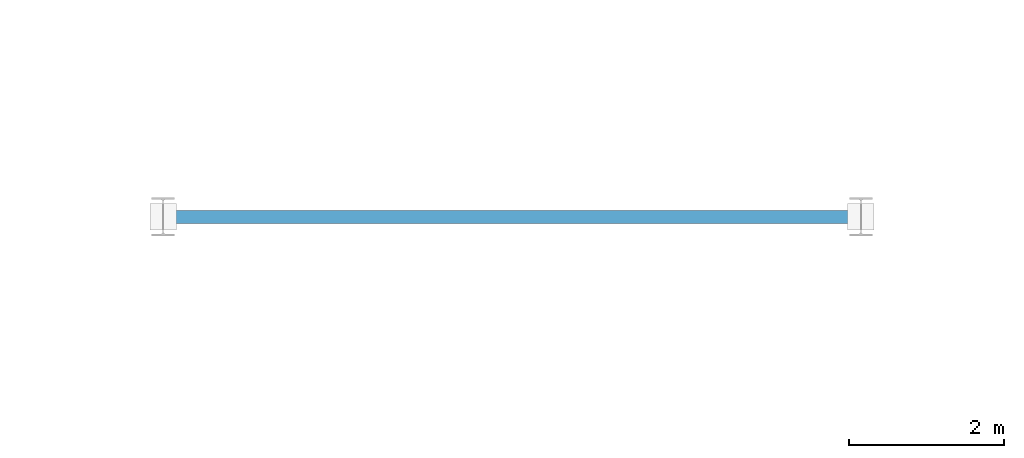
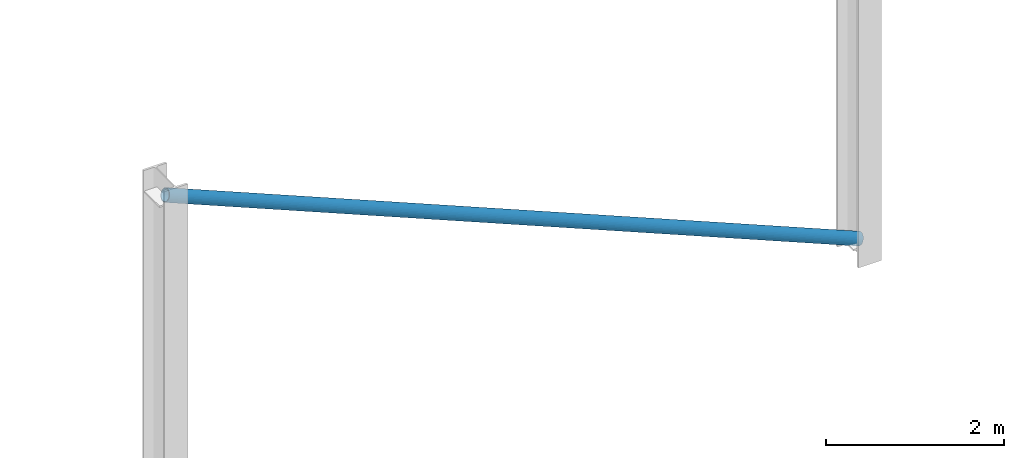
# One storey, part 54 of 140: 1 member.
"""IFC4 building model written with IfcOpenShell, lengths in metres."""

from ifc_helpers import new_model, si_unit, direction, frame, origin, origin_2d, place, context, subcontext, project, spatial, hollow_circle, extrude, material, material_profile, profile_set, type_object, element, save


model = new_model("IFC4")

# Units and contexts
model_context = context("Model", 3, precision=1e-05, world=origin(), true_north=direction((0.0, 1.0)))
body_context = subcontext(model_context, "Body", "Model", "MODEL_VIEW")
ifc_project = project(units=[si_unit("LENGTHUNIT", "METRE"), si_unit("AREAUNIT", "SQUARE_METRE"), si_unit("VOLUMEUNIT", "CUBIC_METRE"), si_unit("PLANEANGLEUNIT", "RADIAN"), si_unit("MASSUNIT", "GRAM", prefix="KILO")], contexts=[model_context])

# Site, building, storey
site_placement = place(None, origin())
site = spatial("IfcSite", under=ifc_project, at=site_placement, CompositionType="ELEMENT")
building_placement = place(site_placement, origin())
building = spatial("IfcBuilding", under=site, at=building_placement, Name="Deido Ridge Mobility Hub", CompositionType="ELEMENT")
storey_placement = place(building_placement, origin())
storey = spatial("IfcBuildingStorey", under=building, at=storey_placement, Name="L00", CompositionType="ELEMENT", Elevation=0.0)

# Member
ifc_material = material(Name="Steel S355J2H EN 10210-1", Category="steel")
ifc_material_profile = material_profile(ifc_material, hollow_circle(Radius=0.084228515625, WallThickness=0.008056640625, at=origin_2d()), Name="CHS 168.3x8")
ifc_profile_set = profile_set([ifc_material_profile], Name="Steel S355J2H EN 10210-1")
member_type = type_object("IfcMemberType", Name="MEM-STR-CHS168", PredefinedType="STRUT", material=ifc_profile_set)
member_placement = place(storey_placement, frame((63.0, 54.0, 0.199951171875), z_axis=(-0.923076923077, 0.0, 0.384615384615), x_axis=(0.0, -1.0, 0.0)))
element("IfcMember", 1, at=member_placement, inside=storey, type_object=member_type, Name="Deconstructivist facade diagrid strut SR1", PredefinedType="STRUT", context=body_context, shape_type="SweptSolid", body=[
    extrude(hollow_circle(Radius=0.084228515625, WallThickness=0.008056640625, at=origin_2d()), origin(), (0.0, 0.0, 1.0), 9.75),
])

save(model, "model.ifc")
